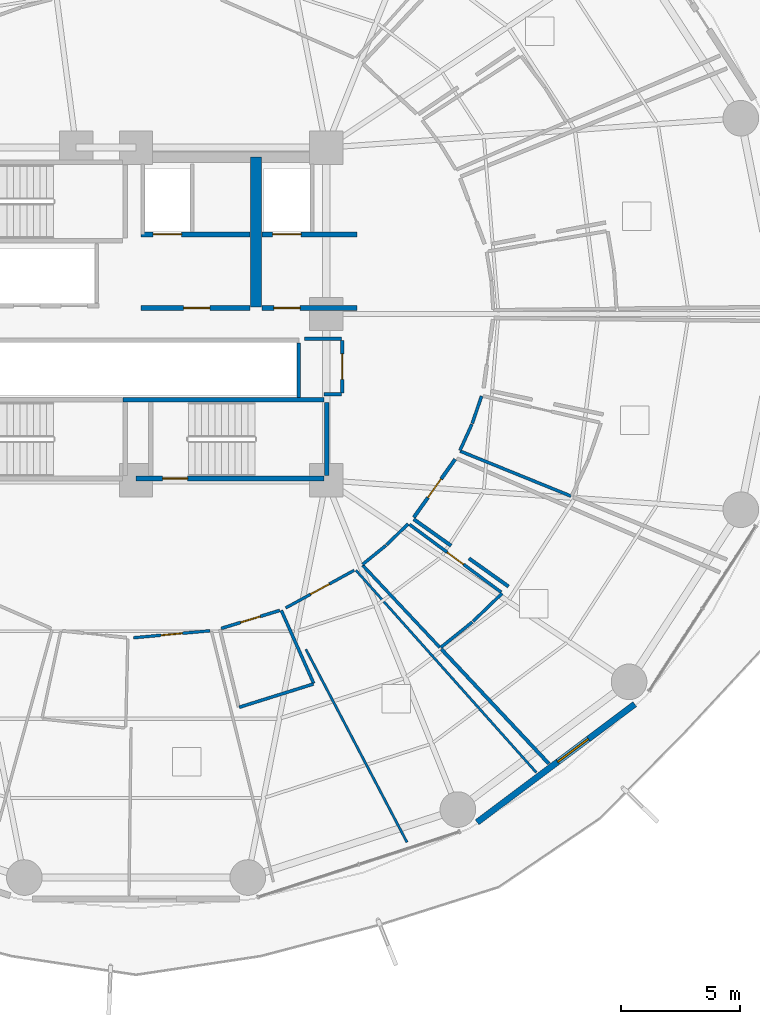
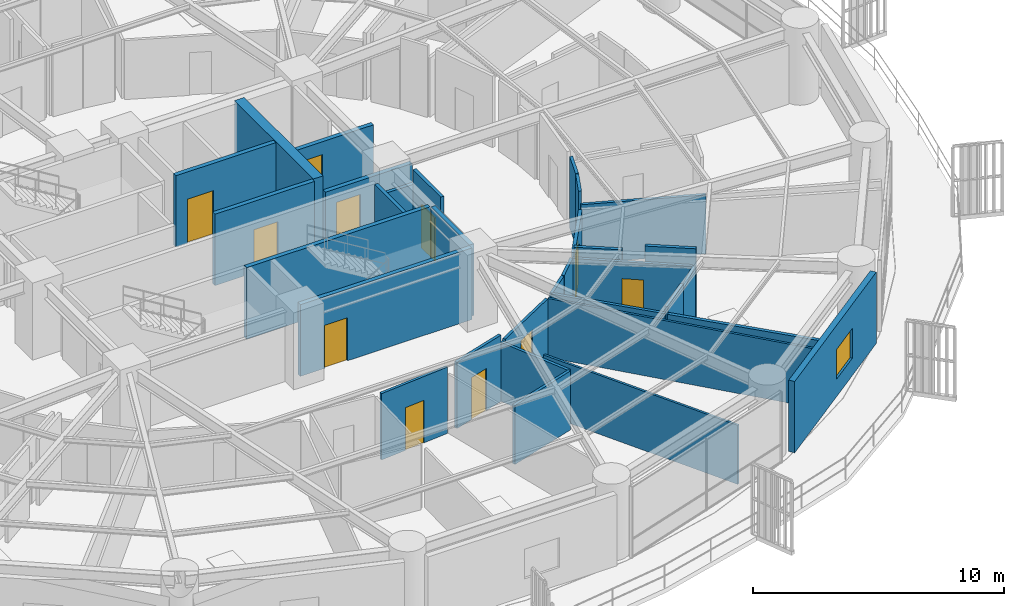
# One storey, part 25 of 33: 33 walls, 11 doors, 1 window, 12 openings.
"""IFC4 building model written with IfcOpenShell, lengths in metres."""

from ifc_helpers import new_model, si_unit, direction, frame, frame_2d, origin, place, context, subcontext, project, spatial, rectangle, extrude, material, layer, layer_set, type_object, element, fill, save


model = new_model("IFC4")

# Units and contexts
model_context = context("Model", 3, precision=1e-05, world=origin(), true_north=direction((0.0, 1.0)))
body_context = subcontext(model_context, "Body", "Model", "MODEL_VIEW")
ifc_project = project(units=[si_unit("LENGTHUNIT", "METRE"), si_unit("AREAUNIT", "SQUARE_METRE"), si_unit("VOLUMEUNIT", "CUBIC_METRE"), si_unit("PLANEANGLEUNIT", "RADIAN"), si_unit("MASSUNIT", "GRAM", prefix="KILO")], contexts=[model_context])

# Site, building, storey
site_placement = place(None, origin())
site = spatial("IfcSite", under=ifc_project, at=site_placement, CompositionType="ELEMENT")
building_placement = place(site_placement, origin())
building = spatial("IfcBuilding", under=site, at=building_placement, Name="Kelanora Arch Commons", CompositionType="ELEMENT")
storey_placement = place(building_placement, frame((0.0, 0.0, 26.25)))
storey = spatial("IfcBuildingStorey", under=building, at=storey_placement, Name="L06", CompositionType="ELEMENT", Elevation=26.25)

# Wall
ifc_material_1 = material(Name="Autoclaved aerated concrete blockwork with fire plaster", Category="masonry")
ifc_layer_1 = layer(ifc_material_1, 0.14990234375)
ifc_layer_set_1 = layer_set([ifc_layer_1], Name="Autoclaved aerated concrete blockwork with fire plaster")
wall_type_1 = type_object("IfcWallType", Name="W-COMP-150", PredefinedType="PARTITIONING", material=ifc_layer_set_1)
wall_1_placement = place(storey_placement, frame((80.840087890625, 54.47998046875, 0.0), z_axis=(0.0, 0.0, 1.0), x_axis=(0.0, 1.0, 0.0)))
element("IfcWall", 1, at=wall_1_placement, inside=storey, type_object=wall_type_1, Name="South Lift Bank East Wall L06", PredefinedType="PARTITIONING", context=body_context, shape_type="SweptSolid", body=[
    extrude(rectangle(XDim=2.2900390625, YDim=0.14990234375, at=frame_2d((1.14501953125, 0.0))), origin(), (0.0, 0.0, 1.0), 3.47998046875),
])

# Wall, opening, door
wall_2_placement = place(storey_placement, frame((82.679931640625, 54.679931640625, 0.0), z_axis=(0.0, 0.0, 1.0), x_axis=(0.0, 1.0, 0.0)))
wall_2 = element("IfcWall", 2, at=wall_2_placement, inside=storey, type_object=wall_type_1, Name="Core Housekeeping Store L06 Entry Partition", PredefinedType="PARTITIONING", context=body_context, shape_type="SweptSolid", body=[
    extrude(rectangle(XDim=2.2099609375, YDim=0.14990234375, at=frame_2d((1.10498046875, 0.0))), origin(), (0.0, 0.0, 1.0), 3.47998046875),
])
opening_1_placement = place(wall_2_placement, frame((0.56494140625, 0.0, 0.0)))
opening_1 = element("IfcOpeningElement", 3, at=opening_1_placement, cuts=wall_2, Name="Opening D-PLT1", PredefinedType="OPENING", context=body_context, shape_type="SweptSolid", body=[
    extrude(rectangle(XDim=1.080078125, YDim=2.10009765625, at=frame_2d((0.5400390625, 1.050048828125))), frame((0.0, 0.0849609375, 0.0), z_axis=(0.0, -1.0, 0.0), x_axis=(1.0, 0.0, 0.0)), (0.0, 0.0, 1.0), 0.169921875),
])
ifc_material_2 = material(Name="Galvanised steel plant and riser fire door", Category="steel")
door_type_1 = type_object("IfcDoorType", Name="D-PLT-110", OperationType="NOTDEFINED", PredefinedType="DOOR", material=ifc_material_2)
door_1_placement = place(opening_1_placement, origin())
door_1 = element("IfcDoor", 4, at=door_1_placement, inside=storey, type_object=door_type_1, Name="Core Housekeeping Store L06 Door", OperationType="SINGLE_SWING_RIGHT", OverallHeight=2.10009765625, OverallWidth=1.080078125, PredefinedType="DOOR", context=body_context, shape_type="SweptSolid", body=[
    extrude(rectangle(XDim=1.080078125, YDim=2.10009765625, at=frame_2d((0.5400390625, 1.050048828125))), frame((0.0, 0.02490234375, 0.0), z_axis=(0.0, -1.0, 0.0), x_axis=(1.0, 0.0, 0.0)), (0.0, 0.0, 1.0), 0.050048828125),
])
fill(opening_1, door_1)

wall_3_placement = place(storey_placement, frame((85.685791015625, 49.43798828125, 0.0), z_axis=(0.0, 0.0, 1.0), x_axis=(0.579107689823, 0.815251055557, 0.0)))
wall_3 = element("IfcWall", 5, at=wall_3_placement, inside=storey, type_object=wall_type_1, Name="Co-Living Studio L06-13 Entry Partition", PredefinedType="PARTITIONING", context=body_context, shape_type="SweptSolid", body=[
    extrude(rectangle(XDim=3.00537109375, YDim=0.14990234375, at=frame_2d((1.502685546875, 0.0))), origin(), (0.0, 0.0, 1.0), 2.875),
])
opening_2_placement = place(wall_3_placement, frame((1.028076171875, 0.0, 0.0)))
opening_2 = element("IfcOpeningElement", 6, at=opening_2_placement, cuts=wall_3, Name="Opening D-CLU1", PredefinedType="OPENING", context=body_context, shape_type="SweptSolid", body=[
    extrude(rectangle(XDim=0.949951171875, YDim=2.080078125, at=frame_2d((0.47509765625, 1.0400390625))), frame((0.0, 0.0849609375, 0.0), z_axis=(0.0, -1.0, 0.0), x_axis=(1.0, 0.0, 0.0)), (0.0, 0.0, 1.0), 0.169921875),
])
ifc_material_3 = material(Name="Solid-core acoustic timber cluster entry fire door", Category="wood")
door_type_2 = type_object("IfcDoorType", Name="D-CLU-95", OperationType="NOTDEFINED", PredefinedType="DOOR", material=ifc_material_3)
door_2_placement = place(opening_2_placement, origin())
door_2 = element("IfcDoor", 7, at=door_2_placement, inside=storey, type_object=door_type_2, Name="Co-Living Studio L06-13 Door", OperationType="SINGLE_SWING_RIGHT", OverallHeight=2.080078125, OverallWidth=0.949951171875, PredefinedType="DOOR", context=body_context, shape_type="SweptSolid", body=[
    extrude(rectangle(XDim=0.949951171875, YDim=2.080078125, at=frame_2d((0.47509765625, 1.0400390625))), frame((0.0, 0.02490234375, 0.0), z_axis=(0.0, -1.0, 0.0), x_axis=(1.0, 0.0, 0.0)), (0.0, 0.0, 1.0), 0.050048828125),
])
fill(opening_2, door_2)

# Walls
wall_4_placement = place(storey_placement, frame((81.89990234375, 54.6201171875, 0.0), z_axis=(0.0, 0.0, 1.0), x_axis=(1.0, 0.0, 0.0)))
element("IfcWall", 8, at=wall_4_placement, inside=storey, type_object=wall_type_1, Name="Core Housekeeping Store L06 Enclosure Partition 1", PredefinedType="PARTITIONING", context=body_context, shape_type="SweptSolid", body=[
    extrude(rectangle(XDim=0.739990234375, YDim=0.14990234375, at=frame_2d((0.3701171875, 0.0))), origin(), (0.0, 0.0, 1.0), 2.77490234375),
])
wall_5_placement = place(storey_placement, frame((82.639892578125, 56.949951171875, 0.0), z_axis=(0.0, 0.0, 1.0), x_axis=(-1.0, 0.0, 0.0)))
element("IfcWall", 9, at=wall_5_placement, inside=storey, type_object=wall_type_1, Name="Core Housekeeping Store L06 Enclosure Partition 3", PredefinedType="PARTITIONING", context=body_context, shape_type="SweptSolid", body=[
    extrude(rectangle(XDim=1.5498046875, YDim=0.14990234375, at=frame_2d((0.77490234375, 0.0))), origin(), (0.0, 0.0, 1.0), 2.77490234375),
])
wall_6_placement = place(storey_placement, frame((91.36767578125, 39.078125, 0.0), z_axis=(0.0, 0.0, 1.0), x_axis=(-0.684296653493, 0.729203736975, 0.0)))
element("IfcWall", 10, at=wall_6_placement, inside=storey, type_object=wall_type_1, Name="Co-Living Studio L06-13 Enclosure Partition 5", PredefinedType="PARTITIONING", context=body_context, shape_type="SweptSolid", body=[
    extrude(rectangle(XDim=6.60009765625, YDim=0.14990234375, at=frame_2d((3.300048828125, 0.0))), origin(), (0.0, 0.0, 1.0), 2.875),
])
wall_7_placement = place(storey_placement, frame((89.67138671875, 46.533203125, 0.0), z_axis=(0.0, 0.0, 1.0), x_axis=(-0.815281399299, 0.579064970411, 0.0)))
element("IfcWall", 11, at=wall_7_placement, inside=storey, type_object=wall_type_1, Name="Co-Living Studio L06-13 Enclosure Partition 7", PredefinedType="PARTITIONING", context=body_context, shape_type="SweptSolid", body=[
    extrude(rectangle(XDim=2.042236328125, YDim=0.14990234375, at=frame_2d((1.02099609375, 0.0))), origin(), (0.0, 0.0, 1.0), 3.47998046875),
])
wall_8_placement = place(storey_placement, frame((87.256103515625, 48.248779296875, 0.0), z_axis=(0.0, 0.0, 1.0), x_axis=(-0.815270043711, 0.579080957922, 0.0)))
element("IfcWall", 12, at=wall_8_placement, inside=storey, type_object=wall_type_1, Name="Co-Living Studio L06-13 Enclosure Partition 7", PredefinedType="PARTITIONING", context=body_context, shape_type="SweptSolid", body=[
    extrude(rectangle(XDim=1.9287109375, YDim=0.14990234375, at=frame_2d((0.96435546875, 0.0))), origin(), (0.0, 0.0, 1.0), 3.235107421875),
])
ifc_material_4 = material(Name="Concrete C60/75", Category="concrete")
ifc_layer_2 = layer(ifc_material_4, 0.449951171875)
ifc_layer_set_2 = layer_set([ifc_layer_2], Name="Concrete C60/75")
wall_type_2 = type_object("IfcWallType", Name="W-CORE-450", PredefinedType="SHEAR", material=ifc_layer_set_2)
wall_9_placement = place(storey_placement, frame((79.050048828125, 58.300048828125, 0.0), z_axis=(0.0, 0.0, 1.0), x_axis=(0.0, 1.0, 0.0)))
element("IfcWall", 13, at=wall_9_placement, inside=storey, type_object=wall_type_2, Name="Core Shear Spine L06-CE-N", PredefinedType="SHEAR", context=body_context, shape_type="SweptSolid", body=[
    extrude(rectangle(XDim=6.300048828125, YDim=0.449951171875, at=frame_2d((3.14990234375, 0.0))), origin(), (0.0, 0.0, 1.0), 3.489990234375),
])

# Wall, opening, window
ifc_material_5 = material(Name="Precast concrete C40/50 with terracotta rainscreen", Category="masonry")
ifc_layer_3 = layer(ifc_material_5, 0.260009765625)
ifc_layer_set_3 = layer_set([ifc_layer_3], Name="Precast concrete C40/50 with terracotta rainscreen")
wall_type_3 = type_object("IfcWallType", Name="W-EXT-TC", PredefinedType="SOLIDWALL", material=ifc_layer_set_3)
wall_10_placement = place(storey_placement, frame((88.348876953125, 36.61083984375, 0.0), z_axis=(0.0, 0.0, 1.0), x_axis=(0.80030733173, 0.599590005569, 0.0)))
wall_10 = element("IfcWall", 14, at=wall_10_placement, inside=storey, type_object=wall_type_3, Name="Terracotta Exterior Wall L06-B15", PredefinedType="SOLIDWALL", context=body_context, shape_type="SweptSolid", body=[
    extrude(rectangle(XDim=8.29052734375, YDim=0.260009765625, at=frame_2d((4.145263671875, 0.0))), origin(), (0.0, 0.0, 1.0), 3.47509765625),
])
opening_3_placement = place(wall_10_placement, frame((4.2451171875, 0.0, 0.85009765625)))
opening_3 = element("IfcOpeningElement", 15, at=opening_3_placement, cuts=wall_10, Name="Opening WN-01", PredefinedType="OPENING", context=body_context, shape_type="SweptSolid", body=[
    extrude(rectangle(XDim=1.60009765625, YDim=1.449951171875, at=frame_2d((0.800048828125, 0.72509765625))), frame((0.0, 0.14013671875, 0.0), z_axis=(0.0, -1.0, 0.0), x_axis=(1.0, 0.0, 0.0)), (0.0, 0.0, 1.0), 0.280029296875),
])
ifc_material_6 = material(Name="Terracotta-anodised aluminium frame with operable low-E glazing", Category="masonry")
window_type = type_object("IfcWindowType", Name="WIN-CL-18", PartitioningType="DOUBLE_PANEL_VERTICAL", PredefinedType="WINDOW", material=ifc_material_6)
window_placement = place(opening_3_placement, origin())
window = element("IfcWindow", 16, at=window_placement, inside=storey, type_object=window_type, Name="Co-Living Operable Window L06-B15", OverallHeight=1.449951171875, OverallWidth=1.60009765625, PartitioningType="SINGLE_PANEL", PredefinedType="WINDOW", context=body_context, shape_type="SweptSolid", body=[
    extrude(rectangle(XDim=1.60009765625, YDim=1.449951171875, at=frame_2d((0.800048828125, 0.72509765625))), frame((0.0, 0.030029296875, 0.0), z_axis=(0.0, -1.0, 0.0), x_axis=(1.0, 0.0, 0.0)), (0.0, 0.0, 1.0), 0.06005859375),
])
fill(opening_3, window)

# Wall, opening, door
ifc_material_7 = material(Name="Concrete C40/50", Category="concrete")
ifc_layer_4 = layer(ifc_material_7, 0.199951171875)
ifc_layer_set_4 = layer_set([ifc_layer_4], Name="Concrete C40/50")
wall_type_4 = type_object("IfcWallType", Name="W-FFL-200", PredefinedType="SOLIDWALL", material=ifc_layer_set_4)
wall_11_placement = place(storey_placement, frame((74.199951171875, 61.35009765625, 0.0), z_axis=(0.0, 0.0, 1.0), x_axis=(1.0, 0.0, 0.0)))
wall_11 = element("IfcWall", 17, at=wall_11_placement, inside=storey, type_object=wall_type_4, Name="Firefighting Lift 1 Shaft Front L06", PredefinedType="SOLIDWALL", context=body_context, shape_type="SweptSolid", body=[
    extrude(rectangle(XDim=4.60009765625, YDim=0.199951171875, at=frame_2d((2.300048828125, 0.0))), origin(), (0.0, 0.0, 1.0), 3.47998046875),
])
opening_4_placement = place(wall_11_placement, frame((0.52001953125, 0.0, 0.0)))
opening_4 = element("IfcOpeningElement", 18, at=opening_4_placement, cuts=wall_11, Name="Opening LD-FF", PredefinedType="OPENING", context=body_context, shape_type="SweptSolid", body=[
    extrude(rectangle(XDim=1.199951171875, YDim=2.14990234375, at=frame_2d((0.60009765625, 1.074951171875))), frame((0.0, 0.10986328125, 0.0), z_axis=(0.0, -1.0, 0.0), x_axis=(1.0, 0.0, 0.0)), (0.0, 0.0, 1.0), 0.219970703125),
])
ifc_material_8 = material(Name="Fire-rated firefighters lift sliding landing door")
door_type_3 = type_object("IfcDoorType", Name="D-LIFT-FF", OperationType="NOTDEFINED", PredefinedType="DOOR", material=ifc_material_8)
door_3_placement = place(opening_4_placement, origin())
door_3 = element("IfcDoor", 19, at=door_3_placement, inside=storey, type_object=door_type_3, Name="Firefighting Lift LF-FF1 Landing Door L06", OperationType="DOUBLE_DOOR_SLIDING", OverallHeight=2.14990234375, OverallWidth=1.199951171875, PredefinedType="DOOR", context=body_context, shape_type="SweptSolid", body=[
    extrude(rectangle(XDim=1.199951171875, YDim=2.14990234375, at=frame_2d((0.60009765625, 1.074951171875))), frame((0.0, 0.02490234375, 0.0), z_axis=(0.0, -1.0, 0.0), x_axis=(1.0, 0.0, 0.0)), (0.0, 0.0, 1.0), 0.050048828125),
])
fill(opening_4, door_3)

wall_12_placement = place(storey_placement, frame((79.300048828125, 61.35009765625, 0.0), z_axis=(0.0, 0.0, 1.0), x_axis=(1.0, 0.0, 0.0)))
wall_12 = element("IfcWall", 20, at=wall_12_placement, inside=storey, type_object=wall_type_4, Name="Firefighting Lift 2 Shaft Front L06", PredefinedType="SOLIDWALL", context=body_context, shape_type="SweptSolid", body=[
    extrude(rectangle(XDim=4.0, YDim=0.199951171875, at=frame_2d((2.0, 0.0))), origin(), (0.0, 0.0, 1.0), 2.77490234375),
])
opening_5_placement = place(wall_12_placement, frame((0.449951171875, 0.0, 0.0)))
opening_5 = element("IfcOpeningElement", 21, at=opening_5_placement, cuts=wall_12, Name="Opening LD-FF", PredefinedType="OPENING", context=body_context, shape_type="SweptSolid", body=[
    extrude(rectangle(XDim=1.199951171875, YDim=2.14990234375, at=frame_2d((0.60009765625, 1.074951171875))), frame((0.0, 0.10986328125, 0.0), z_axis=(0.0, -1.0, 0.0), x_axis=(1.0, 0.0, 0.0)), (0.0, 0.0, 1.0), 0.219970703125),
])
door_4_placement = place(opening_5_placement, origin())
door_4 = element("IfcDoor", 22, at=door_4_placement, inside=storey, type_object=door_type_3, Name="Firefighting Lift LF-FF2 Landing Door L06", OperationType="DOUBLE_DOOR_SLIDING", OverallHeight=2.14990234375, OverallWidth=1.199951171875, PredefinedType="DOOR", context=body_context, shape_type="SweptSolid", body=[
    extrude(rectangle(XDim=1.199951171875, YDim=2.14990234375, at=frame_2d((0.60009765625, 1.074951171875))), frame((0.0, 0.02490234375, 0.0), z_axis=(0.0, -1.0, 0.0), x_axis=(1.0, 0.0, 0.0)), (0.0, 0.0, 1.0), 0.050048828125),
])
fill(opening_5, door_4)

wall_13_placement = place(storey_placement, frame((74.199951171875, 58.25, 0.0), z_axis=(0.0, 0.0, 1.0), x_axis=(1.0, 0.0, 0.0)))
wall_13 = element("IfcWall", 23, at=wall_13_placement, inside=storey, type_object=wall_type_4, Name="Firefighting Lobby 1 Enclosure Wall L06", PredefinedType="SOLIDWALL", context=body_context, shape_type="SweptSolid", body=[
    extrude(rectangle(XDim=4.60009765625, YDim=0.199951171875, at=frame_2d((2.300048828125, 0.0))), origin(), (0.0, 0.0, 1.0), 3.47998046875),
])
opening_6_placement = place(wall_13_placement, frame((1.800048828125, 0.0, 0.0)))
opening_6 = element("IfcOpeningElement", 24, at=opening_6_placement, cuts=wall_13, Name="Opening D-FFL1", PredefinedType="OPENING", context=body_context, shape_type="SweptSolid", body=[
    extrude(rectangle(XDim=1.10009765625, YDim=2.10009765625, at=frame_2d((0.550048828125, 1.050048828125))), frame((0.0, 0.10986328125, 0.0), z_axis=(0.0, -1.0, 0.0), x_axis=(1.0, 0.0, 0.0)), (0.0, 0.0, 1.0), 0.219970703125),
])
ifc_material_9 = material(Name="Smoke-sealed firefighting lobby fire door")
door_type_4 = type_object("IfcDoorType", Name="D-FFL-110", OperationType="NOTDEFINED", PredefinedType="DOOR", material=ifc_material_9)
door_5_placement = place(opening_6_placement, frame((1.10009765625, 0.0, 0.0), z_axis=(0.0, 0.0, 1.0), x_axis=(-1.0, 0.0, 0.0)))
door_5 = element("IfcDoor", 25, at=door_5_placement, inside=storey, type_object=door_type_4, Name="Firefighting Lobby 1 Door L06", OperationType="SINGLE_SWING_LEFT", OverallHeight=2.10009765625, OverallWidth=1.10009765625, PredefinedType="DOOR", context=body_context, shape_type="SweptSolid", body=[
    extrude(rectangle(XDim=1.10009765625, YDim=2.10009765625, at=frame_2d((0.550048828125, 1.050048828125))), frame((0.0, 0.02490234375, 0.0), z_axis=(0.0, -1.0, 0.0), x_axis=(1.0, 0.0, 0.0)), (0.0, 0.0, 1.0), 0.050048828125),
])
fill(opening_6, door_5)

wall_14_placement = place(storey_placement, frame((79.300048828125, 58.25, 0.0), z_axis=(0.0, 0.0, 1.0), x_axis=(1.0, 0.0, 0.0)))
wall_14 = element("IfcWall", 26, at=wall_14_placement, inside=storey, type_object=wall_type_4, Name="Firefighting Lobby 2 Enclosure Wall L06", PredefinedType="SOLIDWALL", context=body_context, shape_type="SweptSolid", body=[
    extrude(rectangle(XDim=4.0, YDim=0.199951171875, at=frame_2d((2.0, 0.0))), origin(), (0.0, 0.0, 1.0), 2.77490234375),
])
opening_7_placement = place(wall_14_placement, frame((0.5, 0.0, 0.0)))
opening_7 = element("IfcOpeningElement", 27, at=opening_7_placement, cuts=wall_14, Name="Opening D-FFL1", PredefinedType="OPENING", context=body_context, shape_type="SweptSolid", body=[
    extrude(rectangle(XDim=1.10009765625, YDim=2.10009765625, at=frame_2d((0.550048828125, 1.050048828125))), frame((0.0, 0.10986328125, 0.0), z_axis=(0.0, -1.0, 0.0), x_axis=(1.0, 0.0, 0.0)), (0.0, 0.0, 1.0), 0.219970703125),
])
door_6_placement = place(opening_7_placement, frame((1.10009765625, 0.0, 0.0), z_axis=(0.0, 0.0, 1.0), x_axis=(-1.0, 0.0, 0.0)))
door_6 = element("IfcDoor", 28, at=door_6_placement, inside=storey, type_object=door_type_4, Name="Firefighting Lobby 2 Door L06", OperationType="SINGLE_SWING_RIGHT", OverallHeight=2.10009765625, OverallWidth=1.10009765625, PredefinedType="DOOR", context=body_context, shape_type="SweptSolid", body=[
    extrude(rectangle(XDim=1.10009765625, YDim=2.10009765625, at=frame_2d((0.550048828125, 1.050048828125))), frame((0.0, 0.02490234375, 0.0), z_axis=(0.0, -1.0, 0.0), x_axis=(1.0, 0.0, 0.0)), (0.0, 0.0, 1.0), 0.050048828125),
])
fill(opening_7, door_6)

# Walls
ifc_material_10 = material(Name="Lightweight fire-rated acoustic stud partition")
ifc_layer_5 = layer(ifc_material_10, 0.10009765625)
ifc_layer_set_5 = layer_set([ifc_layer_5], Name="Lightweight fire-rated acoustic stud partition")
wall_type_5 = type_object("IfcWallType", Name="W-PART-100", PredefinedType="PARTITIONING", material=ifc_layer_set_5)
wall_15_placement = place(storey_placement, frame((83.253662109375, 47.211181640625, 0.0), z_axis=(0.0, 0.0, 1.0), x_axis=(0.66580890104, -0.746122313897, 0.0)))
element("IfcWall", 29, at=wall_15_placement, inside=storey, type_object=wall_type_5, Name="Tutorial Study Alcove L06-12 Enclosure Partition 2", PredefinedType="PARTITIONING", context=body_context, shape_type="SweptSolid", body=[
    extrude(rectangle(XDim=11.3994140625, YDim=0.10009765625, at=frame_2d((5.69970703125, 0.0))), origin(), (0.0, 0.0, 1.0), 2.875),
])
wall_16_placement = place(storey_placement, frame((85.4013671875, 35.769287109375, 0.0), z_axis=(0.0, 0.0, 1.0), x_axis=(-0.464308397246, 0.885673592384, 0.0)))
element("IfcWall", 30, at=wall_16_placement, inside=storey, type_object=wall_type_5, Name="Tutorial Study Alcove L06-12 Enclosure Partition 4", PredefinedType="PARTITIONING", context=body_context, shape_type="SweptSolid", body=[
    extrude(rectangle(XDim=9.170166015625, YDim=0.10009765625, at=frame_2d((4.5849609375, 0.0))), origin(), (0.0, 0.0, 1.0), 2.875),
])

# Wall, opening, door
ifc_material_11 = material(Name="Acoustic twin-stud fire-rated gypsum partition")
ifc_layer_6 = layer(ifc_material_11, 0.1201171875)
ifc_layer_set_6 = layer_set([ifc_layer_6], Name="Acoustic twin-stud fire-rated gypsum partition")
wall_type_6 = type_object("IfcWallType", Name="W-PART-120", PredefinedType="PARTITIONING", material=ifc_layer_set_6)
wall_17_placement = place(storey_placement, frame((73.896728515625, 44.37646484375, 0.0), z_axis=(0.0, 0.0, 1.0), x_axis=(0.995829610124, 0.091232601628, 0.0)))
wall_17 = element("IfcWall", 31, at=wall_17_placement, inside=storey, type_object=wall_type_6, Name="Quiet Reading Carrel L06-11 Entry Partition", PredefinedType="PARTITIONING", context=body_context, shape_type="SweptSolid", body=[
    extrude(rectangle(XDim=3.221923828125, YDim=0.1201171875, at=frame_2d((1.61083984375, 0.0))), origin(), (0.0, 0.0, 1.0), 3.235107421875),
])
opening_8_placement = place(wall_17_placement, frame((1.160888671875, 0.0, 0.0)))
opening_8 = element("IfcOpeningElement", 32, at=opening_8_placement, cuts=wall_17, Name="Opening D-RM1", PredefinedType="OPENING", context=body_context, shape_type="SweptSolid", body=[
    extrude(rectangle(XDim=0.89990234375, YDim=2.080078125, at=frame_2d((0.449951171875, 1.0400390625))), frame((0.0, 0.070068359375, 0.0), z_axis=(0.0, -1.0, 0.0), x_axis=(1.0, 0.0, 0.0)), (0.0, 0.0, 1.0), 0.14013671875),
])
ifc_material_12 = material(Name="Acoustic fire-rated timber study and lounge door", Category="wood")
door_type_5 = type_object("IfcDoorType", Name="D-ROOM-90", OperationType="NOTDEFINED", PredefinedType="DOOR", material=ifc_material_12)
door_7_placement = place(opening_8_placement, origin())
door_7 = element("IfcDoor", 33, at=door_7_placement, inside=storey, type_object=door_type_5, Name="Quiet Reading Carrel L06-11 Door", OperationType="SINGLE_SWING_RIGHT", OverallHeight=2.080078125, OverallWidth=0.89990234375, PredefinedType="DOOR", context=body_context, shape_type="SweptSolid", body=[
    extrude(rectangle(XDim=0.89990234375, YDim=2.080078125, at=frame_2d((0.449951171875, 1.0400390625))), frame((0.0, 0.02490234375, 0.0), z_axis=(0.0, -1.0, 0.0), x_axis=(1.0, 0.0, 0.0)), (0.0, 0.0, 1.0), 0.050048828125),
])
fill(opening_8, door_7)

wall_18_placement = place(storey_placement, frame((80.298583984375, 45.6318359375, 0.0), z_axis=(0.0, 0.0, 1.0), x_axis=(0.876387079092, 0.481607399861, 0.0)))
wall_18 = element("IfcWall", 34, at=wall_18_placement, inside=storey, type_object=wall_type_6, Name="Tutorial Study Alcove L06-12 Entry Partition", PredefinedType="PARTITIONING", context=body_context, shape_type="SweptSolid", body=[
    extrude(rectangle(XDim=3.28125, YDim=0.1201171875, at=frame_2d((1.640625, 0.0))), origin(), (0.0, 0.0, 1.0), 2.875),
])
opening_9_placement = place(wall_18_placement, frame((1.19091796875, 0.0, 0.0)))
opening_9 = element("IfcOpeningElement", 35, at=opening_9_placement, cuts=wall_18, Name="Opening D-RM1", PredefinedType="OPENING", context=body_context, shape_type="SweptSolid", body=[
    extrude(rectangle(XDim=0.89990234375, YDim=2.080078125, at=frame_2d((0.449951171875, 1.0400390625))), frame((0.0, 0.070068359375, 0.0), z_axis=(0.0, -1.0, 0.0), x_axis=(1.0, 0.0, 0.0)), (0.0, 0.0, 1.0), 0.14013671875),
])
door_8_placement = place(opening_9_placement, origin())
door_8 = element("IfcDoor", 36, at=door_8_placement, inside=storey, type_object=door_type_5, Name="Tutorial Study Alcove L06-12 Door", OperationType="SINGLE_SWING_RIGHT", OverallHeight=2.080078125, OverallWidth=0.89990234375, PredefinedType="DOOR", context=body_context, shape_type="SweptSolid", body=[
    extrude(rectangle(XDim=0.89990234375, YDim=2.080078125, at=frame_2d((0.449951171875, 1.0400390625))), frame((0.0, 0.02490234375, 0.0), z_axis=(0.0, -1.0, 0.0), x_axis=(1.0, 0.0, 0.0)), (0.0, 0.0, 1.0), 0.050048828125),
])
fill(opening_9, door_8)

ifc_layer_7 = layer(ifc_material_7, 0.199951171875)
ifc_layer_set_7 = layer_set([ifc_layer_7], Name="Concrete C40/50")
wall_type_7 = type_object("IfcWallType", Name="W-STAIR-200", PredefinedType="SHEAR", material=ifc_layer_set_7)
wall_19_placement = place(storey_placement, frame((74.0, 51.080078125, 0.0), z_axis=(0.0, 0.0, 1.0), x_axis=(1.0, 0.0, 0.0)))
wall_19 = element("IfcWall", 37, at=wall_19_placement, inside=storey, type_object=wall_type_7, Name="Stair ST-T2 Shaft Wall S L06", PredefinedType="SHEAR", context=body_context, shape_type="SweptSolid", body=[
    extrude(rectangle(XDim=7.89990234375, YDim=0.199951171875, at=frame_2d((3.949951171875, 0.0))), origin(), (0.0, 0.0, 1.0), 3.489990234375),
])
opening_10_placement = place(wall_19_placement, frame((1.1201171875, 0.0, 0.0)))
opening_10 = element("IfcOpeningElement", 38, at=opening_10_placement, cuts=wall_19, Name="Opening D-ST1", PredefinedType="OPENING", context=body_context, shape_type="SweptSolid", body=[
    extrude(rectangle(XDim=1.050048828125, YDim=2.10009765625, at=frame_2d((0.52490234375, 1.050048828125))), frame((0.0, 0.10986328125, 0.0), z_axis=(0.0, -1.0, 0.0), x_axis=(1.0, 0.0, 0.0)), (0.0, 0.0, 1.0), 0.219970703125),
])
ifc_material_13 = material(Name="Steel fire-rated stairwell escape door", Category="steel")
door_type_6 = type_object("IfcDoorType", Name="D-STAIR-110", OperationType="NOTDEFINED", PredefinedType="DOOR", material=ifc_material_13)
door_9_placement = place(opening_10_placement, origin())
door_9 = element("IfcDoor", 39, at=door_9_placement, inside=storey, type_object=door_type_6, Name="Stair ST-T2 Escape Door L06", OperationType="SINGLE_SWING_LEFT", OverallHeight=2.10009765625, OverallWidth=1.050048828125, PredefinedType="DOOR", context=body_context, shape_type="SweptSolid", body=[
    extrude(rectangle(XDim=1.050048828125, YDim=2.10009765625, at=frame_2d((0.52490234375, 1.050048828125))), frame((0.0, 0.02490234375, 0.0), z_axis=(0.0, -1.0, 0.0), x_axis=(1.0, 0.0, 0.0)), (0.0, 0.0, 1.0), 0.050048828125),
])
fill(opening_10, door_9)

# Walls
wall_20_placement = place(storey_placement, frame((82.02001953125, 51.199951171875, 0.0), z_axis=(0.0, 0.0, 1.0), x_axis=(0.0, 1.0, 0.0)))
element("IfcWall", 40, at=wall_20_placement, inside=storey, type_object=wall_type_7, Name="Stair ST-T2 Shaft Wall E L06", PredefinedType="SHEAR", context=body_context, shape_type="SweptSolid", body=[
    extrude(rectangle(XDim=3.070068359375, YDim=0.199951171875, at=frame_2d((1.53515625, 0.0))), origin(), (0.0, 0.0, 1.0), 3.489990234375),
])
wall_21_placement = place(storey_placement, frame((81.89990234375, 54.389892578125, 0.0), z_axis=(0.0, 0.0, 1.0), x_axis=(-1.0, 0.0, 0.0)))
element("IfcWall", 41, at=wall_21_placement, inside=storey, type_object=wall_type_7, Name="Stair ST-T2 Shaft Wall N L06", PredefinedType="SHEAR", context=body_context, shape_type="SweptSolid", body=[
    extrude(rectangle(XDim=8.4599609375, YDim=0.199951171875, at=frame_2d((4.22998046875, 0.0))), origin(), (0.0, 0.0, 1.0), 3.489990234375),
])

# Wall, opening, door
ifc_material_14 = material(Name="Moisture-resistant fire-rated cement-board plumbing wall")
ifc_layer_8 = layer(ifc_material_14, 0.1298828125)
ifc_layer_set_8 = layer_set([ifc_layer_8], Name="Moisture-resistant fire-rated cement-board plumbing wall")
wall_type_8 = type_object("IfcWallType", Name="W-WET-120", PredefinedType="PLUMBINGWALL", material=ifc_layer_set_8)
wall_22_placement = place(storey_placement, frame((77.580322265625, 44.767578125, 0.0), z_axis=(0.0, 0.0, 1.0), x_axis=(0.955754448098, 0.294165659011, 0.0)))
wall_22 = element("IfcWall", 42, at=wall_22_placement, inside=storey, type_object=wall_type_8, Name="Accessible Shared Floor WC L06-12 Entry Partition", PredefinedType="PLUMBINGWALL", context=body_context, shape_type="SweptSolid", body=[
    extrude(rectangle(XDim=2.579345703125, YDim=0.1298828125, at=frame_2d((1.28955078125, 0.0))), origin(), (0.0, 0.0, 1.0), 3.235107421875),
])
opening_11_placement = place(wall_22_placement, frame((0.860107421875, 0.0, 0.0)))
opening_11 = element("IfcOpeningElement", 43, at=opening_11_placement, cuts=wall_22, Name="Opening D-BT1", PredefinedType="OPENING", context=body_context, shape_type="SweptSolid", body=[
    extrude(rectangle(XDim=0.860107421875, YDim=2.050048828125, at=frame_2d((0.43017578125, 1.02490234375))), frame((0.0, 0.074951171875, 0.0), z_axis=(0.0, -1.0, 0.0), x_axis=(1.0, 0.0, 0.0)), (0.0, 0.0, 1.0), 0.14990234375),
])
ifc_material_15 = material(Name="Moisture-sealed fire-rated accessible bathroom door")
door_type_7 = type_object("IfcDoorType", Name="D-BATH-85", OperationType="NOTDEFINED", PredefinedType="DOOR", material=ifc_material_15)
door_10_placement = place(opening_11_placement, origin())
door_10 = element("IfcDoor", 44, at=door_10_placement, inside=storey, type_object=door_type_7, Name="Accessible Shared Floor WC L06-12 Door", OperationType="SINGLE_SWING_LEFT", OverallHeight=2.050048828125, OverallWidth=0.860107421875, PredefinedType="DOOR", context=body_context, shape_type="SweptSolid", body=[
    extrude(rectangle(XDim=0.860107421875, YDim=2.050048828125, at=frame_2d((0.43017578125, 1.02490234375))), frame((0.0, 0.02490234375, 0.0), z_axis=(0.0, -1.0, 0.0), x_axis=(1.0, 0.0, 0.0)), (0.0, 0.0, 1.0), 0.050048828125),
])
fill(opening_11, door_10)

wall_23_placement = place(storey_placement, frame((85.506103515625, 49.143310546875, 0.0), z_axis=(0.0, 0.0, 1.0), x_axis=(0.80412644244, -0.594458295063, 0.0)))
wall_23 = element("IfcWall", 45, at=wall_23_placement, inside=storey, type_object=wall_type_8, Name="En-Suite Shower WC L06-13 Entry Partition", PredefinedType="PLUMBINGWALL", context=body_context, shape_type="SweptSolid", body=[
    extrude(rectangle(XDim=4.798583984375, YDim=0.1298828125, at=frame_2d((2.3994140625, 0.0))), origin(), (0.0, 0.0, 1.0), 2.875),
])
opening_12_placement = place(wall_23_placement, frame((1.968994140625, 0.0, 0.0)))
opening_12 = element("IfcOpeningElement", 46, at=opening_12_placement, cuts=wall_23, Name="Opening D-BT1", PredefinedType="OPENING", context=body_context, shape_type="SweptSolid", body=[
    extrude(rectangle(XDim=0.860107421875, YDim=2.050048828125, at=frame_2d((0.43017578125, 1.02490234375))), frame((0.0, 0.074951171875, 0.0), z_axis=(0.0, -1.0, 0.0), x_axis=(1.0, 0.0, 0.0)), (0.0, 0.0, 1.0), 0.14990234375),
])
door_11_placement = place(opening_12_placement, origin())
door_11 = element("IfcDoor", 47, at=door_11_placement, inside=storey, type_object=door_type_7, Name="En-Suite Shower WC L06-13 Door", OperationType="SINGLE_SWING_LEFT", OverallHeight=2.050048828125, OverallWidth=0.860107421875, PredefinedType="DOOR", context=body_context, shape_type="SweptSolid", body=[
    extrude(rectangle(XDim=0.860107421875, YDim=2.050048828125, at=frame_2d((0.43017578125, 1.02490234375))), frame((0.0, 0.02490234375, 0.0), z_axis=(0.0, -1.0, 0.0), x_axis=(1.0, 0.0, 0.0)), (0.0, 0.0, 1.0), 0.050048828125),
])
fill(opening_12, door_11)

# Walls
wall_24_placement = place(storey_placement, frame((80.111083984375, 45.525634765625, 0.0), z_axis=(0.0, 0.0, 1.0), x_axis=(0.405936178007, -0.913901427608, 0.0)))
element("IfcWall", 48, at=wall_24_placement, inside=storey, type_object=wall_type_8, Name="Accessible Shared Floor WC L06-12 Enclosure Partition 2", PredefinedType="PLUMBINGWALL", context=body_context, shape_type="SweptSolid", body=[
    extrude(rectangle(XDim=3.359619140625, YDim=0.1298828125, at=frame_2d((1.6796875, 0.0))), origin(), (0.0, 0.0, 1.0), 2.875),
])
wall_25_placement = place(storey_placement, frame((81.4638671875, 42.430908203125, 0.0), z_axis=(0.0, 0.0, 1.0), x_axis=(-0.954175708416, -0.299246917226, 0.0)))
element("IfcWall", 49, at=wall_25_placement, inside=storey, type_object=wall_type_8, Name="Accessible Shared Floor WC L06-12 Enclosure Partition 3", PredefinedType="PLUMBINGWALL", context=body_context, shape_type="SweptSolid", body=[
    extrude(rectangle(XDim=3.27490234375, YDim=0.1298828125, at=frame_2d((1.637451171875, 0.0))), origin(), (0.0, 0.0, 1.0), 2.875),
])
wall_26_placement = place(storey_placement, frame((83.529541015625, 47.460693359375, 0.0), z_axis=(0.0, 0.0, 1.0), x_axis=(0.77596084644, 0.63078107517, 0.0)))
element("IfcWall", 50, at=wall_26_placement, inside=storey, type_object=wall_type_8, Name="En-Suite Shower WC L06-13 Enclosure Partition 1", PredefinedType="PLUMBINGWALL", context=body_context, shape_type="SweptSolid", body=[
    extrude(rectangle(XDim=1.26806640625, YDim=0.1298828125, at=frame_2d((0.634033203125, 0.0))), origin(), (0.0, 0.0, 1.0), 2.875),
])
wall_27_placement = place(storey_placement, frame((84.543212890625, 48.287109375, 0.0), z_axis=(0.0, 0.0, 1.0), x_axis=(0.715980731769, 0.698120041064, 0.0)))
element("IfcWall", 51, at=wall_27_placement, inside=storey, type_object=wall_type_8, Name="En-Suite Shower WC L06-13 Enclosure Partition 2", PredefinedType="PLUMBINGWALL", context=body_context, shape_type="SweptSolid", body=[
    extrude(rectangle(XDim=1.257568359375, YDim=0.1298828125, at=frame_2d((0.62890625, 0.0))), origin(), (0.0, 0.0, 1.0), 2.875),
])
wall_28_placement = place(storey_placement, frame((89.398681640625, 46.2412109375, 0.0), z_axis=(0.0, 0.0, 1.0), x_axis=(-0.719664402118, -0.694322078234, 0.0)))
element("IfcWall", 52, at=wall_28_placement, inside=storey, type_object=wall_type_8, Name="En-Suite Shower WC L06-13 Enclosure Partition 4", PredefinedType="PLUMBINGWALL", context=body_context, shape_type="SweptSolid", body=[
    extrude(rectangle(XDim=1.695556640625, YDim=0.1298828125, at=frame_2d((0.84765625, 0.0))), origin(), (0.0, 0.0, 1.0), 2.875),
])
wall_29_placement = place(storey_placement, frame((88.1484375, 45.03759765625, 0.0), z_axis=(0.0, 0.0, 1.0), x_axis=(-0.778806140639, -0.627264693174, 0.0)))
element("IfcWall", 53, at=wall_29_placement, inside=storey, type_object=wall_type_8, Name="En-Suite Shower WC L06-13 Enclosure Partition 5", PredefinedType="PLUMBINGWALL", context=body_context, shape_type="SweptSolid", body=[
    extrude(rectangle(XDim=1.712646484375, YDim=0.1298828125, at=frame_2d((0.8564453125, 0.0))), origin(), (0.0, 0.0, 1.0), 3.175048828125),
])
wall_30_placement = place(storey_placement, frame((86.785400390625, 43.965576171875, 0.0), z_axis=(0.0, 0.0, 1.0), x_axis=(-0.68469858897, 0.728826345753, 0.0)))
element("IfcWall", 54, at=wall_30_placement, inside=storey, type_object=wall_type_8, Name="En-Suite Shower WC L06-13 Enclosure Partition 6", PredefinedType="PLUMBINGWALL", context=body_context, shape_type="SweptSolid", body=[
    extrude(rectangle(XDim=4.758056640625, YDim=0.1298828125, at=frame_2d((2.37890625, 0.0))), origin(), (0.0, 0.0, 1.0), 2.875),
])
wall_31_placement = place(storey_placement, frame((87.62841796875, 52.255126953125, 0.0), z_axis=(0.0, 0.0, 1.0), x_axis=(0.4138937247, 0.910325208183, 0.0)))
element("IfcWall", 55, at=wall_31_placement, inside=storey, type_object=wall_type_8, Name="En-Suite Shower WC L06-14 Enclosure Partition 1", PredefinedType="PLUMBINGWALL", context=body_context, shape_type="SweptSolid", body=[
    extrude(rectangle(XDim=1.2158203125, YDim=0.1298828125, at=frame_2d((0.60791015625, 0.0))), origin(), (0.0, 0.0, 1.0), 3.47998046875),
])
wall_32_placement = place(storey_placement, frame((88.146484375, 53.39892578125, 0.0), z_axis=(0.0, 0.0, 1.0), x_axis=(0.323735286305, 0.946147696928, 0.0)))
element("IfcWall", 56, at=wall_32_placement, inside=storey, type_object=wall_type_8, Name="En-Suite Shower WC L06-14 Enclosure Partition 2", PredefinedType="PLUMBINGWALL", context=body_context, shape_type="SweptSolid", body=[
    extrude(rectangle(XDim=1.2080078125, YDim=0.1298828125, at=frame_2d((0.60400390625, 0.0))), origin(), (0.0, 0.0, 1.0), 3.47998046875),
])
wall_33_placement = place(storey_placement, frame((92.304443359375, 50.33447265625, 0.0), z_axis=(0.0, 0.0, 1.0), x_axis=(-0.926504606816, 0.376283421835, 0.0)))
element("IfcWall", 57, at=wall_33_placement, inside=storey, type_object=wall_type_8, Name="En-Suite Shower WC L06-14 Enclosure Partition 6", PredefinedType="PLUMBINGWALL", context=body_context, shape_type="SweptSolid", body=[
    extrude(rectangle(XDim=5.0361328125, YDim=0.1298828125, at=frame_2d((2.51806640625, 0.0))), origin(), (0.0, 0.0, 1.0), 2.875),
])

save(model, "model.ifc")
